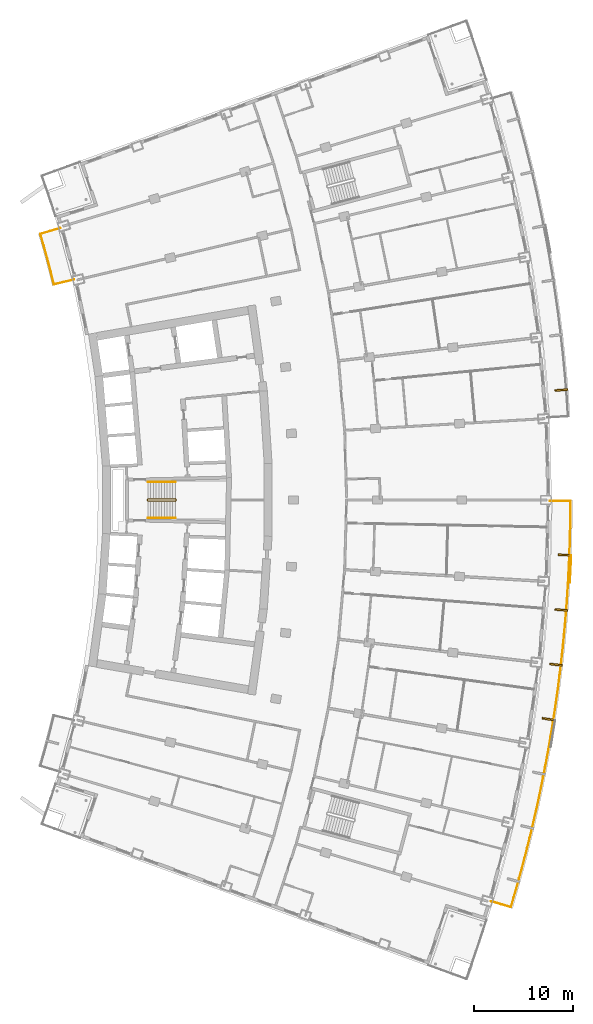
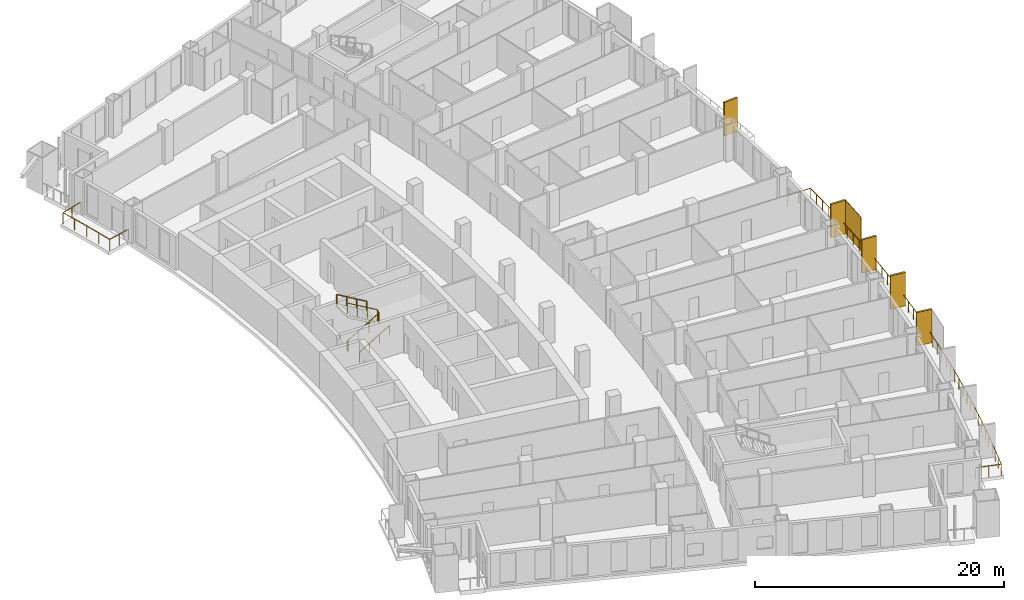
# One storey, part 23 of 24: 6 shading devices, 5 railings.
"""IFC4 building model written with IfcOpenShell, lengths in metres."""

from ifc_helpers import new_model, si_unit, direction, frame, origin, origin_with_axes, origin_2d, place, context, subcontext, project, spatial, rectangle, extrude, material, layer, layer_set, type_object, element, save


model = new_model("IFC4")

# Units and contexts
model_context = context("Model", 3, precision=1e-05, world=origin(), true_north=direction((0.0, 1.0)))
body_context = subcontext(model_context, "Body", "Model", "MODEL_VIEW")
ifc_project = project(units=[si_unit("LENGTHUNIT", "METRE"), si_unit("AREAUNIT", "SQUARE_METRE"), si_unit("VOLUMEUNIT", "CUBIC_METRE"), si_unit("PLANEANGLEUNIT", "RADIAN"), si_unit("MASSUNIT", "GRAM", prefix="KILO")], contexts=[model_context])

# Site, building, storey
site_placement = place(None, origin())
site = spatial("IfcSite", under=ifc_project, at=site_placement, CompositionType="ELEMENT")
building_placement = place(site_placement, origin())
building = spatial("IfcBuilding", under=site, at=building_placement, Name="Alderwake Tower", CompositionType="ELEMENT")
storey_placement = place(building_placement, frame((0.0, 0.0, 96.800048828125)))
storey = spatial("IfcBuildingStorey", under=building, at=storey_placement, Name="L23", CompositionType="ELEMENT", Elevation=96.800048828125)

# Railings
ifc_material_1 = material(Name="Stainless steel 316 rail and posts", Category="steel")
railing_type_1 = type_object("IfcRailingType", Name="Balcony guard 1100", PredefinedType="GUARDRAIL", material=ifc_material_1)
railing_1_placement = place(storey_placement, frame((55.839599609375, 20.320068359375, 0.0)))
element("IfcRailing", 1, at=railing_1_placement, inside=storey, type_object=railing_type_1, Name="Guard BF02", PredefinedType="GUARDRAIL", context=body_context, shape_type="SweptSolid", body=[
    extrude(rectangle(XDim=0.048095703125, YDim=0.048095703125, at=origin_2d()), frame((0.0, 0.0, 1.076171875), z_axis=(0.957954179098, -0.286921227429, 0.0), x_axis=(0.286921227429, 0.957954179098, 0.0)), (0.0, 0.0, 1.0), 2.10009765625),
    extrude(rectangle(XDim=0.048095703125, YDim=0.048095703125, at=origin_2d()), frame((2.01171875, -0.6025390625, 1.076171875), z_axis=(0.280234538423, 0.95993156187, 0.0), x_axis=(-0.95993156187, 0.280234538423, 0.0)), (0.0, 0.0, 1.0), 1.99853515625),
    extrude(rectangle(XDim=0.048095703125, YDim=0.048095703125, at=origin_2d()), frame((2.57177734375, 1.31591796875, 1.076171875), z_axis=(0.266521673868, 0.963828925359, 0.0), x_axis=(-0.963828925359, 0.266521673868, 0.0)), (0.0, 0.0, 1.0), 2.0986328125),
    extrude(rectangle(XDim=0.048095703125, YDim=0.048095703125, at=origin_2d()), frame((3.131103515625, 3.338623046875, 1.076171875), z_axis=(0.252459784968, 0.967607387825, 0.0), x_axis=(-0.967607387825, 0.252459784968, 0.0)), (0.0, 0.0, 1.0), 2.098388671875),
    extrude(rectangle(XDim=0.048095703125, YDim=0.048095703125, at=origin_2d()), frame((3.660888671875, 5.369140625, 1.076171875), z_axis=(0.238262937818, 0.971200685987, 0.0), x_axis=(-0.971200685987, 0.238262937818, 0.0)), (0.0, 0.0, 1.0), 2.0986328125),
    extrude(rectangle(XDim=0.048095703125, YDim=0.048095703125, at=origin_2d()), frame((4.160888671875, 7.4072265625, 1.076171875), z_axis=(0.224094649438, 0.974567385096, 0.0), x_axis=(-0.974567385096, 0.224094649438, 0.0)), (0.0, 0.0, 1.0), 2.098388671875),
    extrude(rectangle(XDim=0.048095703125, YDim=0.048095703125, at=origin_2d()), frame((4.631103515625, 9.4521484375, 1.076171875), z_axis=(0.209854794081, 0.977732563333, 0.0), x_axis=(-0.977732563333, 0.209854794081, 0.0)), (0.0, 0.0, 1.0), 2.0986328125),
    extrude(rectangle(XDim=0.048095703125, YDim=0.048095703125, at=origin_2d()), frame((5.071533203125, 11.504150390625, 1.076171875), z_axis=(0.195691012753, 0.980665604336, 0.0), x_axis=(-0.980665604336, 0.195691012753, 0.0)), (0.0, 0.0, 1.0), 2.098388671875),
    extrude(rectangle(XDim=0.048095703125, YDim=0.048095703125, at=origin_2d()), frame((5.482177734375, 13.56201171875, 1.076171875), z_axis=(0.18126014614, 0.983435183132, 0.0), x_axis=(-0.983435183132, 0.18126014614, 0.0)), (0.0, 0.0, 1.0), 2.098388671875),
    extrude(rectangle(XDim=0.048095703125, YDim=0.048095703125, at=origin_2d()), frame((5.862548828125, 15.625732421875, 1.076171875), z_axis=(0.16694530238, 0.985966158655, 0.0), x_axis=(-0.985966158655, 0.16694530238, 0.0)), (0.0, 0.0, 1.0), 2.0986328125),
    extrude(rectangle(XDim=0.048095703125, YDim=0.048095703125, at=origin_2d()), frame((6.212890625, 17.69482421875, 1.076171875), z_axis=(0.152520506341, 0.988300306155, 0.0), x_axis=(-0.988300306155, 0.152520506341, 0.0)), (0.0, 0.0, 1.0), 2.0986328125),
    extrude(rectangle(XDim=0.048095703125, YDim=0.048095703125, at=origin_2d()), frame((6.532958984375, 19.768798828125, 1.076171875), z_axis=(0.138097834966, 0.990418592302, 0.0), x_axis=(-0.990418592302, 0.138097834966, 0.0)), (0.0, 0.0, 1.0), 2.098388671875),
    extrude(rectangle(XDim=0.048095703125, YDim=0.048095703125, at=origin_2d()), frame((6.82275390625, 21.84716796875, 1.076171875), z_axis=(0.123662458816, 0.992324340264, 0.0), x_axis=(-0.992324340264, 0.123662458816, 0.0)), (0.0, 0.0, 1.0), 2.0986328125),
    extrude(rectangle(XDim=0.048095703125, YDim=0.048095703125, at=origin_2d()), frame((7.082275390625, 23.9296875, 1.076171875), z_axis=(0.109128966339, 0.994027599569, 0.0), x_axis=(-0.994027599569, 0.109128966339, 0.0)), (0.0, 0.0, 1.0), 2.098388671875),
    extrude(rectangle(XDim=0.048095703125, YDim=0.048095703125, at=origin_2d()), frame((7.311279296875, 26.015625, 1.076171875), z_axis=(0.094699289711, 0.995505923904, 0.0), x_axis=(-0.995505923904, 0.094699289711, 0.0)), (0.0, 0.0, 1.0), 2.0986328125),
    extrude(rectangle(XDim=0.048095703125, YDim=0.048095703125, at=origin_2d()), frame((7.510009765625, 28.104736328125, 1.076171875), z_axis=(0.080041152337, 0.996791559922, 0.0), x_axis=(-0.996791559922, 0.080041152337, 0.0)), (0.0, 0.0, 1.0), 2.0986328125),
    extrude(rectangle(XDim=0.048095703125, YDim=0.048095703125, at=origin_2d()), frame((7.677978515625, 30.196533203125, 1.076171875), z_axis=(0.065615549431, 0.997844977776, 0.0), x_axis=(-0.997844977776, 0.065615549431, 0.0)), (0.0, 0.0, 1.0), 2.0986328125),
    extrude(rectangle(XDim=0.048095703125, YDim=0.048095703125, at=origin_2d()), frame((7.815673828125, 32.29052734375, 1.076171875), z_axis=(0.050958868795, 0.998700752824, 0.0), x_axis=(-0.998700752824, 0.050958868795, 0.0)), (0.0, 0.0, 1.0), 2.098388671875),
    extrude(rectangle(XDim=0.048095703125, YDim=0.048095703125, at=origin_2d()), frame((7.922607421875, 34.38623046875, 1.076171875), z_axis=(0.036529735259, 0.999332566487, 0.0), x_axis=(-0.999332566487, 0.036529735259, 0.0)), (0.0, 0.0, 1.0), 2.0986328125),
    extrude(rectangle(XDim=0.048095703125, YDim=0.048095703125, at=origin_2d()), frame((7.999267578125, 36.4833984375, 1.076171875), z_axis=(0.021870494843, 0.999760812122, 0.0), x_axis=(-0.999760812122, 0.021870494843, 0.0)), (0.0, 0.0, 1.0), 2.0986328125),
    extrude(rectangle(XDim=0.048095703125, YDim=0.048095703125, at=origin_2d()), frame((8.045166015625, 38.58154296875, 1.076171875), z_axis=(0.007574614704, 0.999971312195, 0.0), x_axis=(-0.999971312195, 0.007574614704, 0.0)), (0.0, 0.0, 1.0), 1.998291015625),
    extrude(rectangle(XDim=0.048095703125, YDim=0.048095703125, at=origin_2d()), frame((8.060302734375, 40.579833984375, 1.076171875), z_axis=(-0.999999668817, 0.000813858584, 0.0), x_axis=(-0.000813858584, -0.999999668817, 0.0)), (0.0, 0.0, 1.0), 2.099853515625),
    extrude(rectangle(XDim=0.0419921875, YDim=0.0419921875, at=origin_2d()), frame((0.0, 0.0, 0.0), z_axis=(0.0, 0.0, 1.0), x_axis=(0.957954179098, -0.286921227429, 0.0)), (0.0, 0.0, 1.0), 1.052001953125),
    extrude(rectangle(XDim=0.0419921875, YDim=0.0419921875, at=origin_2d()), frame((1.005859375, -0.30126953125, 0.0), z_axis=(0.0, 0.0, 1.0), x_axis=(0.957954179098, -0.286921227429, 0.0)), (0.0, 0.0, 1.0), 1.052001953125),
    extrude(rectangle(XDim=0.0419921875, YDim=0.0419921875, at=origin_2d()), frame((2.01171875, -0.6025390625, 0.0), z_axis=(0.0, 0.0, 1.0), x_axis=(0.280234538423, 0.95993156187, 0.0)), (0.0, 0.0, 1.0), 1.052001953125),
    extrude(rectangle(XDim=0.0419921875, YDim=0.0419921875, at=origin_2d()), frame((2.291748046875, 0.356689453125, 0.0), z_axis=(0.0, 0.0, 1.0), x_axis=(0.280234538423, 0.95993156187, 0.0)), (0.0, 0.0, 1.0), 1.052001953125),
    extrude(rectangle(XDim=0.0419921875, YDim=0.0419921875, at=origin_2d()), frame((2.57177734375, 1.31591796875, 0.0), z_axis=(0.0, 0.0, 1.0), x_axis=(0.266521673868, 0.963828925359, 0.0)), (0.0, 0.0, 1.0), 1.052001953125),
    extrude(rectangle(XDim=0.0419921875, YDim=0.0419921875, at=origin_2d()), frame((2.8515625, 2.3271484375, 0.0), z_axis=(0.0, 0.0, 1.0), x_axis=(0.266521673868, 0.963828925359, 0.0)), (0.0, 0.0, 1.0), 1.052001953125),
    extrude(rectangle(XDim=0.0419921875, YDim=0.0419921875, at=origin_2d()), frame((3.131103515625, 3.338623046875, 0.0), z_axis=(0.0, 0.0, 1.0), x_axis=(0.252459784968, 0.967607387825, 0.0)), (0.0, 0.0, 1.0), 1.052001953125),
    extrude(rectangle(XDim=0.0419921875, YDim=0.0419921875, at=origin_2d()), frame((3.39599609375, 4.35400390625, 0.0), z_axis=(0.0, 0.0, 1.0), x_axis=(0.252459784968, 0.967607387825, 0.0)), (0.0, 0.0, 1.0), 1.052001953125),
    extrude(rectangle(XDim=0.0419921875, YDim=0.0419921875, at=origin_2d()), frame((3.660888671875, 5.369140625, 0.0), z_axis=(0.0, 0.0, 1.0), x_axis=(0.238262937818, 0.971200685987, 0.0)), (0.0, 0.0, 1.0), 1.052001953125),
    extrude(rectangle(XDim=0.0419921875, YDim=0.0419921875, at=origin_2d()), frame((3.910888671875, 6.38818359375, 0.0), z_axis=(0.0, 0.0, 1.0), x_axis=(0.238262937818, 0.971200685987, 0.0)), (0.0, 0.0, 1.0), 1.052001953125),
    extrude(rectangle(XDim=0.0419921875, YDim=0.0419921875, at=origin_2d()), frame((4.160888671875, 7.4072265625, 0.0), z_axis=(0.0, 0.0, 1.0), x_axis=(0.224094649438, 0.974567385096, 0.0)), (0.0, 0.0, 1.0), 1.052001953125),
    extrude(rectangle(XDim=0.0419921875, YDim=0.0419921875, at=origin_2d()), frame((4.39599609375, 8.4296875, 0.0), z_axis=(0.0, 0.0, 1.0), x_axis=(0.224094649438, 0.974567385096, 0.0)), (0.0, 0.0, 1.0), 1.052001953125),
    extrude(rectangle(XDim=0.0419921875, YDim=0.0419921875, at=origin_2d()), frame((4.631103515625, 9.4521484375, 0.0), z_axis=(0.0, 0.0, 1.0), x_axis=(0.209854794081, 0.977732563333, 0.0)), (0.0, 0.0, 1.0), 1.052001953125),
    extrude(rectangle(XDim=0.0419921875, YDim=0.0419921875, at=origin_2d()), frame((4.851318359375, 10.47802734375, 0.0), z_axis=(0.0, 0.0, 1.0), x_axis=(0.209854794081, 0.977732563333, 0.0)), (0.0, 0.0, 1.0), 1.052001953125),
    extrude(rectangle(XDim=0.0419921875, YDim=0.0419921875, at=origin_2d()), frame((5.071533203125, 11.504150390625, 0.0), z_axis=(0.0, 0.0, 1.0), x_axis=(0.195691012753, 0.980665604336, 0.0)), (0.0, 0.0, 1.0), 1.052001953125),
    extrude(rectangle(XDim=0.0419921875, YDim=0.0419921875, at=origin_2d()), frame((5.27685546875, 12.533203125, 0.0), z_axis=(0.0, 0.0, 1.0), x_axis=(0.195691012753, 0.980665604336, 0.0)), (0.0, 0.0, 1.0), 1.052001953125),
    extrude(rectangle(XDim=0.0419921875, YDim=0.0419921875, at=origin_2d()), frame((5.482177734375, 13.56201171875, 0.0), z_axis=(0.0, 0.0, 1.0), x_axis=(0.18126014614, 0.983435183132, 0.0)), (0.0, 0.0, 1.0), 1.052001953125),
    extrude(rectangle(XDim=0.0419921875, YDim=0.0419921875, at=origin_2d()), frame((5.67236328125, 14.59375, 0.0), z_axis=(0.0, 0.0, 1.0), x_axis=(0.18126014614, 0.983435183132, 0.0)), (0.0, 0.0, 1.0), 1.052001953125),
    extrude(rectangle(XDim=0.0419921875, YDim=0.0419921875, at=origin_2d()), frame((5.862548828125, 15.625732421875, 0.0), z_axis=(0.0, 0.0, 1.0), x_axis=(0.16694530238, 0.985966158655, 0.0)), (0.0, 0.0, 1.0), 1.052001953125),
    extrude(rectangle(XDim=0.0419921875, YDim=0.0419921875, at=origin_2d()), frame((6.03759765625, 16.66015625, 0.0), z_axis=(0.0, 0.0, 1.0), x_axis=(0.16694530238, 0.985966158655, 0.0)), (0.0, 0.0, 1.0), 1.052001953125),
    extrude(rectangle(XDim=0.0419921875, YDim=0.0419921875, at=origin_2d()), frame((6.212890625, 17.69482421875, 0.0), z_axis=(0.0, 0.0, 1.0), x_axis=(0.152520506341, 0.988300306155, 0.0)), (0.0, 0.0, 1.0), 1.052001953125),
    extrude(rectangle(XDim=0.0419921875, YDim=0.0419921875, at=origin_2d()), frame((6.373046875, 18.73193359375, 0.0), z_axis=(0.0, 0.0, 1.0), x_axis=(0.152520506341, 0.988300306155, 0.0)), (0.0, 0.0, 1.0), 1.052001953125),
    extrude(rectangle(XDim=0.0419921875, YDim=0.0419921875, at=origin_2d()), frame((6.532958984375, 19.768798828125, 0.0), z_axis=(0.0, 0.0, 1.0), x_axis=(0.138097834966, 0.990418592302, 0.0)), (0.0, 0.0, 1.0), 1.052001953125),
    extrude(rectangle(XDim=0.0419921875, YDim=0.0419921875, at=origin_2d()), frame((6.677734375, 20.80810546875, 0.0), z_axis=(0.0, 0.0, 1.0), x_axis=(0.138097834966, 0.990418592302, 0.0)), (0.0, 0.0, 1.0), 1.052001953125),
    extrude(rectangle(XDim=0.0419921875, YDim=0.0419921875, at=origin_2d()), frame((6.82275390625, 21.84716796875, 0.0), z_axis=(0.0, 0.0, 1.0), x_axis=(0.123662458816, 0.992324340264, 0.0)), (0.0, 0.0, 1.0), 1.052001953125),
    extrude(rectangle(XDim=0.0419921875, YDim=0.0419921875, at=origin_2d()), frame((6.95263671875, 22.888427734375, 0.0), z_axis=(0.0, 0.0, 1.0), x_axis=(0.123662458816, 0.992324340264, 0.0)), (0.0, 0.0, 1.0), 1.052001953125),
    extrude(rectangle(XDim=0.0419921875, YDim=0.0419921875, at=origin_2d()), frame((7.082275390625, 23.9296875, 0.0), z_axis=(0.0, 0.0, 1.0), x_axis=(0.109128966339, 0.994027599569, 0.0)), (0.0, 0.0, 1.0), 1.052001953125),
    extrude(rectangle(XDim=0.0419921875, YDim=0.0419921875, at=origin_2d()), frame((7.19677734375, 24.97265625, 0.0), z_axis=(0.0, 0.0, 1.0), x_axis=(0.109128966339, 0.994027599569, 0.0)), (0.0, 0.0, 1.0), 1.052001953125),
    extrude(rectangle(XDim=0.0419921875, YDim=0.0419921875, at=origin_2d()), frame((7.311279296875, 26.015625, 0.0), z_axis=(0.0, 0.0, 1.0), x_axis=(0.094699289711, 0.995505923904, 0.0)), (0.0, 0.0, 1.0), 1.052001953125),
    extrude(rectangle(XDim=0.0419921875, YDim=0.0419921875, at=origin_2d()), frame((7.41064453125, 27.06005859375, 0.0), z_axis=(0.0, 0.0, 1.0), x_axis=(0.094699289711, 0.995505923904, 0.0)), (0.0, 0.0, 1.0), 1.052001953125),
    extrude(rectangle(XDim=0.0419921875, YDim=0.0419921875, at=origin_2d()), frame((7.510009765625, 28.104736328125, 0.0), z_axis=(0.0, 0.0, 1.0), x_axis=(0.080041152337, 0.996791559922, 0.0)), (0.0, 0.0, 1.0), 1.052001953125),
    extrude(rectangle(XDim=0.0419921875, YDim=0.0419921875, at=origin_2d()), frame((7.593994140625, 29.150634765625, 0.0), z_axis=(0.0, 0.0, 1.0), x_axis=(0.080041152337, 0.996791559922, 0.0)), (0.0, 0.0, 1.0), 1.052001953125),
    extrude(rectangle(XDim=0.0419921875, YDim=0.0419921875, at=origin_2d()), frame((7.677978515625, 30.196533203125, 0.0), z_axis=(0.0, 0.0, 1.0), x_axis=(0.065615549431, 0.997844977776, 0.0)), (0.0, 0.0, 1.0), 1.052001953125),
    extrude(rectangle(XDim=0.0419921875, YDim=0.0419921875, at=origin_2d()), frame((7.746826171875, 31.24365234375, 0.0), z_axis=(0.0, 0.0, 1.0), x_axis=(0.065615549431, 0.997844977776, 0.0)), (0.0, 0.0, 1.0), 1.052001953125),
    extrude(rectangle(XDim=0.0419921875, YDim=0.0419921875, at=origin_2d()), frame((7.815673828125, 32.29052734375, 0.0), z_axis=(0.0, 0.0, 1.0), x_axis=(0.050958868795, 0.998700752824, 0.0)), (0.0, 0.0, 1.0), 1.052001953125),
    extrude(rectangle(XDim=0.0419921875, YDim=0.0419921875, at=origin_2d()), frame((7.869140625, 33.33837890625, 0.0), z_axis=(0.0, 0.0, 1.0), x_axis=(0.050958868795, 0.998700752824, 0.0)), (0.0, 0.0, 1.0), 1.052001953125),
    extrude(rectangle(XDim=0.0419921875, YDim=0.0419921875, at=origin_2d()), frame((7.922607421875, 34.38623046875, 0.0), z_axis=(0.0, 0.0, 1.0), x_axis=(0.036529735259, 0.999332566487, 0.0)), (0.0, 0.0, 1.0), 1.052001953125),
    extrude(rectangle(XDim=0.0419921875, YDim=0.0419921875, at=origin_2d()), frame((7.9609375, 35.434814453125, 0.0), z_axis=(0.0, 0.0, 1.0), x_axis=(0.036529735259, 0.999332566487, 0.0)), (0.0, 0.0, 1.0), 1.052001953125),
    extrude(rectangle(XDim=0.0419921875, YDim=0.0419921875, at=origin_2d()), frame((7.999267578125, 36.4833984375, 0.0), z_axis=(0.0, 0.0, 1.0), x_axis=(0.021870494843, 0.999760812122, 0.0)), (0.0, 0.0, 1.0), 1.052001953125),
    extrude(rectangle(XDim=0.0419921875, YDim=0.0419921875, at=origin_2d()), frame((8.022216796875, 37.532470703125, 0.0), z_axis=(0.0, 0.0, 1.0), x_axis=(0.021870494843, 0.999760812122, 0.0)), (0.0, 0.0, 1.0), 1.052001953125),
    extrude(rectangle(XDim=0.0419921875, YDim=0.0419921875, at=origin_2d()), frame((8.045166015625, 38.58154296875, 0.0), z_axis=(0.0, 0.0, 1.0), x_axis=(0.007574614704, 0.999971312195, 0.0)), (0.0, 0.0, 1.0), 1.052001953125),
    extrude(rectangle(XDim=0.0419921875, YDim=0.0419921875, at=origin_2d()), frame((8.052734375, 39.58056640625, 0.0), z_axis=(0.0, 0.0, 1.0), x_axis=(0.007574614704, 0.999971312195, 0.0)), (0.0, 0.0, 1.0), 1.052001953125),
    extrude(rectangle(XDim=0.0419921875, YDim=0.0419921875, at=origin_2d()), frame((8.060302734375, 40.579833984375, 0.0), z_axis=(0.0, 0.0, 1.0), x_axis=(-0.999999668817, 0.000813858584, 0.0)), (0.0, 0.0, 1.0), 1.052001953125),
    extrude(rectangle(XDim=0.0419921875, YDim=0.0419921875, at=origin_2d()), frame((7.01025390625, 40.58056640625, 0.0), z_axis=(0.0, 0.0, 1.0), x_axis=(-0.999999668817, 0.000813858584, 0.0)), (0.0, 0.0, 1.0), 1.052001953125),
    extrude(rectangle(XDim=0.0419921875, YDim=0.0419921875, at=origin_2d()), frame((5.96044921875, 40.58154296875, 0.0), z_axis=(0.0, 0.0, 1.0), x_axis=(-0.999999668817, 0.000813858584, 0.0)), (0.0, 0.0, 1.0), 1.052001953125),
])
railing_2_placement = place(storey_placement, frame((13.5693359375, 83.343017578125, 0.0)))
element("IfcRailing", 2, at=railing_2_placement, inside=storey, type_object=railing_type_1, Name="Guard BR11", PredefinedType="GUARDRAIL", context=body_context, shape_type="SweptSolid", body=[
    extrude(rectangle(XDim=0.048095703125, YDim=0.048095703125, at=origin_2d()), frame((0.0, 0.0, 1.076171875), z_axis=(-0.972646310656, -0.232291098337, 0.0), x_axis=(0.232291098337, -0.972646310656, 0.0)), (0.0, 0.0, 1.0), 2.099853515625),
    extrude(rectangle(XDim=0.048095703125, YDim=0.048095703125, at=origin_2d()), frame((-2.04248046875, -0.48779296875, 1.076171875), z_axis=(-0.238877101641, 0.971049808358, 0.0), x_axis=(-0.971049808358, -0.238877101641, 0.0)), (0.0, 0.0, 1.0), 1.2724609375),
    extrude(rectangle(XDim=0.048095703125, YDim=0.048095703125, at=origin_2d()), frame((-2.346435546875, 0.747802734375, 1.076171875), z_axis=(-0.252487086228, 0.967600264204, 0.0), x_axis=(-0.967600264204, -0.252487086228, 0.0)), (0.0, 0.0, 1.0), 1.3720703125),
    extrude(rectangle(XDim=0.048095703125, YDim=0.048095703125, at=origin_2d()), frame((-2.69287109375, 2.075439453125, 1.076171875), z_axis=(-0.266487604617, 0.963838345671, 0.0), x_axis=(-0.963838345671, -0.266487604617, 0.0)), (0.0, 0.0, 1.0), 1.372314453125),
    extrude(rectangle(XDim=0.048095703125, YDim=0.048095703125, at=origin_2d()), frame((-3.05859375, 3.398193359375, 1.076171875), z_axis=(-0.279963157487, 0.960010744966, 0.0), x_axis=(-0.960010744966, -0.279963157487, 0.0)), (0.0, 0.0, 1.0), 1.272216796875),
    extrude(rectangle(XDim=0.048095703125, YDim=0.048095703125, at=origin_2d()), frame((-3.414794921875, 4.61962890625, 1.076171875), z_axis=(0.958091458885, 0.286462486918, 0.0), x_axis=(-0.286462486918, 0.958091458885, 0.0)), (0.0, 0.0, 1.0), 2.099853515625),
    extrude(rectangle(XDim=0.0419921875, YDim=0.0419921875, at=origin_2d()), frame((0.0, 0.0, 0.0), z_axis=(0.0, 0.0, 1.0), x_axis=(-0.972646310656, -0.232291098337, 0.0)), (0.0, 0.0, 1.0), 1.052001953125),
    extrude(rectangle(XDim=0.0419921875, YDim=0.0419921875, at=origin_2d()), frame((-1.021240234375, -0.243896484375, 0.0), z_axis=(0.0, 0.0, 1.0), x_axis=(-0.972646310656, -0.232291098337, 0.0)), (0.0, 0.0, 1.0), 1.052001953125),
    extrude(rectangle(XDim=0.0419921875, YDim=0.0419921875, at=origin_2d()), frame((-2.04248046875, -0.48779296875, 0.0), z_axis=(0.0, 0.0, 1.0), x_axis=(-0.238877101641, 0.971049808358, 0.0)), (0.0, 0.0, 1.0), 1.052001953125),
    extrude(rectangle(XDim=0.0419921875, YDim=0.0419921875, at=origin_2d()), frame((-2.346435546875, 0.747802734375, 0.0), z_axis=(0.0, 0.0, 1.0), x_axis=(-0.252487086228, 0.967600264204, 0.0)), (0.0, 0.0, 1.0), 1.052001953125),
    extrude(rectangle(XDim=0.0419921875, YDim=0.0419921875, at=origin_2d()), frame((-2.69287109375, 2.075439453125, 0.0), z_axis=(0.0, 0.0, 1.0), x_axis=(-0.266487604617, 0.963838345671, 0.0)), (0.0, 0.0, 1.0), 1.052001953125),
    extrude(rectangle(XDim=0.0419921875, YDim=0.0419921875, at=origin_2d()), frame((-3.05859375, 3.398193359375, 0.0), z_axis=(0.0, 0.0, 1.0), x_axis=(-0.279963157487, 0.960010744966, 0.0)), (0.0, 0.0, 1.0), 1.052001953125),
    extrude(rectangle(XDim=0.0419921875, YDim=0.0419921875, at=origin_2d()), frame((-3.414794921875, 4.61962890625, 0.0), z_axis=(0.0, 0.0, 1.0), x_axis=(0.958091458885, 0.286462486918, 0.0)), (0.0, 0.0, 1.0), 1.052001953125),
    extrude(rectangle(XDim=0.0419921875, YDim=0.0419921875, at=origin_2d()), frame((-2.40869140625, 4.92041015625, 0.0), z_axis=(0.0, 0.0, 1.0), x_axis=(0.958091458885, 0.286462486918, 0.0)), (0.0, 0.0, 1.0), 1.052001953125),
    extrude(rectangle(XDim=0.0419921875, YDim=0.0419921875, at=origin_2d()), frame((-1.40283203125, 5.22119140625, 0.0), z_axis=(0.0, 0.0, 1.0), x_axis=(0.958091458885, 0.286462486918, 0.0)), (0.0, 0.0, 1.0), 1.052001953125),
])

# Shading devices
ifc_material_2 = material(Name="Bronze anodised aluminium", Category="aluminium")
ifc_layer_1 = layer(ifc_material_2, 0.179931640625)
ifc_layer_set_1 = layer_set([ifc_layer_1], Name="Facade fin 1300")
shading_device_type_1 = type_object("IfcShadingDeviceType", Name="Facade fin 1300", PredefinedType="USERDEFINED", material=ifc_layer_set_1)
for number, where, z_axis, x_axis, name in (
    (3, (61.66748046875, 38.77685546875, 0.0), (0.0, 0.0, 1.0), (0.987918787879, -0.154972476771, 0.0), "Fin"),
    (4, (62.424560546875, 44.30322265625, 0.0), (0.0, 0.0, 1.0), (0.993198315083, -0.116434990084, 0.0), "Fin"),
    (5, (62.96630859375, 49.854736328125, 0.0), (0.0, 0.0, 1.0), (0.996975122026, -0.077721335943, 0.0), "Fin"),
    (6, (63.29150390625, 55.423095703125, 0.0), (0.0, 0.0, 1.0), (0.999243494356, -0.038890088543, 0.0), "Fin"),
    (7, (62.96630859375, 72.145263671875, 0.0), (0.0, 0.0, 1.0), (0.996975122026, 0.077721335943, 0.0), "Fin"),
):
    element("IfcShadingDevice", number, at=place(storey_placement, frame(where, z_axis=z_axis, x_axis=x_axis)), inside=storey, type_object=shading_device_type_1, Name=name, ObjectType="FIN", PredefinedType="USERDEFINED", context=body_context, shape_type="SweptSolid", body=[
        extrude(rectangle(XDim=1.300048828125, YDim=0.179931640625, at=origin_2d()), origin(), (0.0, 0.0, 1.0), 3.280029296875),
    ])
ifc_material_3 = material(Name="Perforated bronze anodised aluminium", Category="aluminium")
ifc_layer_2 = layer(ifc_material_3, 0.050048828125)
ifc_layer_set_2 = layer_set([ifc_layer_2], Name="Perforated screen panel")
shading_device_type_2 = type_object("IfcShadingDeviceType", Name="Perforated screen panel", PredefinedType="USERDEFINED", material=ifc_layer_set_2)
shading_device_placement = place(storey_placement, frame((63.898193359375, 54.0009765625, 0.0), z_axis=(0.0, 0.0, 1.0), x_axis=(0.998819231138, -0.048581308217, 0.0)))
element("IfcShadingDevice", 8, at=shading_device_placement, inside=storey, type_object=shading_device_type_2, Name="Screen panel", ObjectType="SCREEN", PredefinedType="USERDEFINED", context=body_context, shape_type="SweptSolid", body=[
    extrude(rectangle(XDim=0.050048828125, YDim=2.794921875, at=origin_2d()), origin(), (0.0, 0.0, 1.0), 3.280029296875),
])

# Railings
ifc_material_4 = material(Name="Stainless steel guard", Category="steel")
railing_type_2 = type_object("IfcRailingType", Name="Stair guard 1100", PredefinedType="GUARDRAIL", material=ifc_material_4)
railing_3_placement = place(storey_placement, frame((20.989990234375, 60.925048828125, 0.0)))
element("IfcRailing", 9, at=railing_3_placement, inside=storey, type_object=railing_type_2, Name="L23 ST-B stair guard 1", PredefinedType="GUARDRAIL", context=body_context, shape_type="SweptSolid", body=[
    extrude(rectangle(XDim=0.048095703125, YDim=0.048095703125, at=origin_2d()), frame((0.0, 0.0, 1.076171875), z_axis=(0.0, 1.0, 0.0), x_axis=(-1.0, 0.0, 0.0)), (0.0, 0.0, 1.0), 0.14990234375),
    extrude(rectangle(XDim=0.048095703125, YDim=0.048095703125, at=origin_2d()), frame((0.0, 0.14990234375, 1.076171875), z_axis=(0.190199549216, -0.759870394187, 0.621627795), x_axis=(0.970072785993, 0.242814311512, 0.0)), (0.0, 0.0, 1.0), 0.26318359375),
    extrude(rectangle(XDim=0.048095703125, YDim=0.048095703125, at=origin_2d()), frame((0.050048828125, -0.050048828125, 1.23974609375), z_axis=(0.863360870873, 0.0, 0.504586966384), x_axis=(0.0, 1.0, 0.0)), (0.0, 0.0, 1.0), 3.2431640625),
    extrude(rectangle(XDim=0.048095703125, YDim=0.048095703125, at=origin_2d()), frame((2.85009765625, -0.050048828125, 2.8759765625), z_axis=(0.705375805398, 0.708833529934, 0.0), x_axis=(-0.708833529934, 0.705375805398, 0.0)), (0.0, 0.0, 1.0), 0.070556640625),
    extrude(rectangle(XDim=0.048095703125, YDim=0.048095703125, at=origin_2d()), frame((2.89990234375, 0.0, 2.8759765625), z_axis=(0.0, 1.0, 0.0), x_axis=(-1.0, 0.0, 0.0)), (0.0, 0.0, 1.0), 0.14990234375),
    extrude(rectangle(XDim=0.048095703125, YDim=0.048095703125, at=origin_2d()), frame((2.89990234375, 0.14990234375, 2.8759765625), z_axis=(-0.279546231943, 0.280916556609, 0.91811752648), x_axis=(-0.708833529934, -0.705375805398, 0.0)), (0.0, 0.0, 1.0), 0.17822265625),
    extrude(rectangle(XDim=0.048095703125, YDim=0.048095703125, at=origin_2d()), frame((2.85009765625, 0.199951171875, 3.03955078125), z_axis=(-0.863393664356, 0.0, 0.504530851732), x_axis=(0.0, -1.0, 0.0)), (0.0, 0.0, 1.0), 3.2431640625),
    extrude(rectangle(XDim=0.0419921875, YDim=0.0419921875, at=origin_2d()), frame((0.0, 0.0, 0.0), z_axis=(0.0, 0.0, 1.0), x_axis=(0.0, 1.0, 0.0)), (0.0, 0.0, 1.0), 1.052001953125),
    extrude(rectangle(XDim=0.0419921875, YDim=0.0419921875, at=origin_2d()), frame((0.0, 0.14990234375, 0.0), z_axis=(0.0, 0.0, 1.0), x_axis=(0.242814311512, -0.970072785993, 0.0)), (0.0, 0.0, 1.0), 1.052001953125),
    extrude(rectangle(XDim=0.0419921875, YDim=0.0419921875, at=origin_2d()), frame((0.050048828125, -0.050048828125, 0.16357421875), z_axis=(0.0, 0.0, 1.0), x_axis=(1.0, 0.0, 0.0)), (0.0, 0.0, 1.0), 1.052001953125),
    extrude(rectangle(XDim=0.0419921875, YDim=0.0419921875, at=origin_2d()), frame((0.9833984375, -0.050048828125, 0.708984375), z_axis=(0.0, 0.0, 1.0), x_axis=(1.0, 0.0, 0.0)), (0.0, 0.0, 1.0), 1.052001953125),
    extrude(rectangle(XDim=0.0419921875, YDim=0.0419921875, at=origin_2d()), frame((1.916748046875, -0.050048828125, 1.254638671875), z_axis=(0.0, 0.0, 1.0), x_axis=(1.0, 0.0, 0.0)), (0.0, 0.0, 1.0), 1.052001953125),
    extrude(rectangle(XDim=0.0419921875, YDim=0.0419921875, at=origin_2d()), frame((2.85009765625, -0.050048828125, 1.800048828125), z_axis=(0.0, 0.0, 1.0), x_axis=(0.705375805398, 0.708833529934, 0.0)), (0.0, 0.0, 1.0), 1.052001953125),
    extrude(rectangle(XDim=0.0419921875, YDim=0.0419921875, at=origin_2d()), frame((2.89990234375, 0.0, 1.800048828125), z_axis=(0.0, 0.0, 1.0), x_axis=(0.0, 1.0, 0.0)), (0.0, 0.0, 1.0), 1.052001953125),
    extrude(rectangle(XDim=0.0419921875, YDim=0.0419921875, at=origin_2d()), frame((2.89990234375, 0.14990234375, 1.800048828125), z_axis=(0.0, 0.0, 1.0), x_axis=(-0.705375805398, 0.708833529934, 0.0)), (0.0, 0.0, 1.0), 1.052001953125),
    extrude(rectangle(XDim=0.0419921875, YDim=0.0419921875, at=origin_2d()), frame((2.85009765625, 0.199951171875, 1.963623046875), z_axis=(0.0, 0.0, 1.0), x_axis=(-1.0, 0.0, 0.0)), (0.0, 0.0, 1.0), 1.052001953125),
    extrude(rectangle(XDim=0.0419921875, YDim=0.0419921875, at=origin_2d()), frame((1.916748046875, 0.199951171875, 2.509033203125), z_axis=(0.0, 0.0, 1.0), x_axis=(-1.0, 0.0, 0.0)), (0.0, 0.0, 1.0), 1.052001953125),
    extrude(rectangle(XDim=0.0419921875, YDim=0.0419921875, at=origin_2d()), frame((0.9833984375, 0.199951171875, 3.054443359375), z_axis=(0.0, 0.0, 1.0), x_axis=(-1.0, 0.0, 0.0)), (0.0, 0.0, 1.0), 1.052001953125),
    extrude(rectangle(XDim=0.0419921875, YDim=0.0419921875, at=origin_2d()), frame((0.050048828125, 0.199951171875, 3.599853515625), z_axis=(0.0, 0.0, 1.0), x_axis=(-1.0, 0.0, 0.0)), (0.0, 0.0, 1.0), 1.052001953125),
])
ifc_material_5 = material(Name="Stainless steel handrail", Category="steel")
railing_type_3 = type_object("IfcRailingType", Name="Stair handrail 900", PredefinedType="HANDRAIL", material=ifc_material_5)
railing_4_placement = place(storey_placement, frame((21.0400390625, 59.175048828125, 0.16357421875)))
element("IfcRailing", 10, at=railing_4_placement, inside=storey, type_object=railing_type_3, Name="L23 ST-B stair handrail 1", PredefinedType="HANDRAIL", context=body_context, shape_type="SweptSolid", body=[
    extrude(rectangle(XDim=0.048095703125, YDim=0.048095703125, at=origin_2d()), frame((0.0, 0.0, 0.8759765625), z_axis=(0.863360870873, 0.0, 0.504586966384), x_axis=(0.0, 1.0, 0.0)), (0.0, 0.0, 1.0), 3.2431640625),
    extrude(rectangle(XDim=0.0419921875, YDim=0.0419921875, at=origin_2d()), origin_with_axes(), (0.0, 0.0, 1.0), 0.851806640625),
    extrude(rectangle(XDim=0.0419921875, YDim=0.0419921875, at=origin_2d()), frame((0.933349609375, 0.0, 0.54541015625), z_axis=(0.0, 0.0, 1.0), x_axis=(1.0, 0.0, 0.0)), (0.0, 0.0, 1.0), 0.851806640625),
    extrude(rectangle(XDim=0.0419921875, YDim=0.0419921875, at=origin_2d()), frame((1.86669921875, 0.0, 1.091064453125), z_axis=(0.0, 0.0, 1.0), x_axis=(1.0, 0.0, 0.0)), (0.0, 0.0, 1.0), 0.851806640625),
    extrude(rectangle(XDim=0.0419921875, YDim=0.0419921875, at=origin_2d()), frame((2.800048828125, 0.0, 1.636474609375), z_axis=(0.0, 0.0, 1.0), x_axis=(1.0, 0.0, 0.0)), (0.0, 0.0, 1.0), 0.851806640625),
])
railing_5_placement = place(storey_placement, frame((23.840087890625, 62.824951171875, 1.963623046875)))
element("IfcRailing", 11, at=railing_5_placement, inside=storey, type_object=railing_type_3, Name="L23 ST-B stair handrail 2", PredefinedType="HANDRAIL", context=body_context, shape_type="SweptSolid", body=[
    extrude(rectangle(XDim=0.048095703125, YDim=0.048095703125, at=origin_2d()), frame((0.0, 0.0, 0.8759765625), z_axis=(-0.863393664356, 0.0, 0.504530851732), x_axis=(0.0, -1.0, 0.0)), (0.0, 0.0, 1.0), 3.2431640625),
    extrude(rectangle(XDim=0.0419921875, YDim=0.0419921875, at=origin_2d()), frame((0.0, 0.0, 0.0), z_axis=(0.0, 0.0, 1.0), x_axis=(-1.0, 0.0, 0.0)), (0.0, 0.0, 1.0), 0.851806640625),
    extrude(rectangle(XDim=0.0419921875, YDim=0.0419921875, at=origin_2d()), frame((-0.933349609375, 0.0, 0.54541015625), z_axis=(0.0, 0.0, 1.0), x_axis=(-1.0, 0.0, 0.0)), (0.0, 0.0, 1.0), 0.851806640625),
    extrude(rectangle(XDim=0.0419921875, YDim=0.0419921875, at=origin_2d()), frame((-1.86669921875, 0.0, 1.0908203125), z_axis=(0.0, 0.0, 1.0), x_axis=(-1.0, 0.0, 0.0)), (0.0, 0.0, 1.0), 0.851806640625),
    extrude(rectangle(XDim=0.0419921875, YDim=0.0419921875, at=origin_2d()), frame((-2.800048828125, 0.0, 1.63623046875), z_axis=(0.0, 0.0, 1.0), x_axis=(-1.0, 0.0, 0.0)), (0.0, 0.0, 1.0), 0.851806640625),
])

save(model, "model.ifc")
